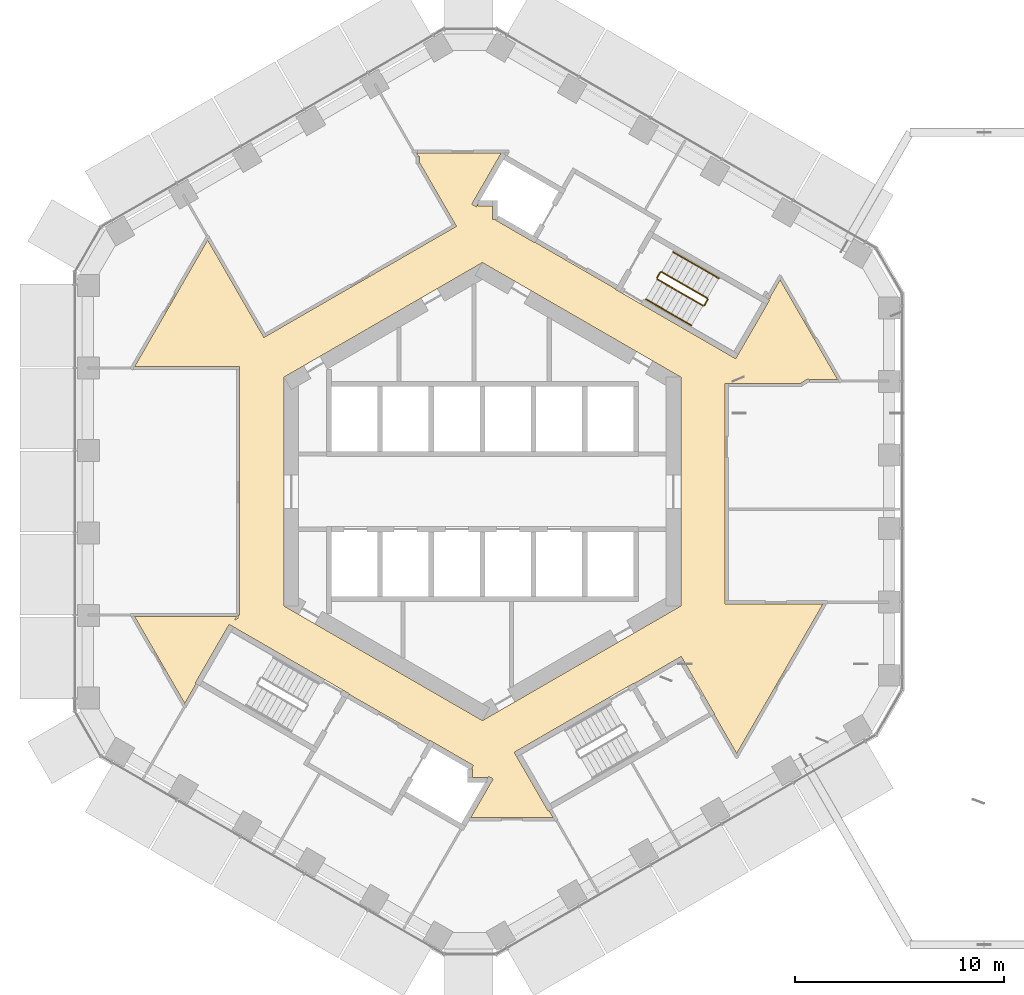
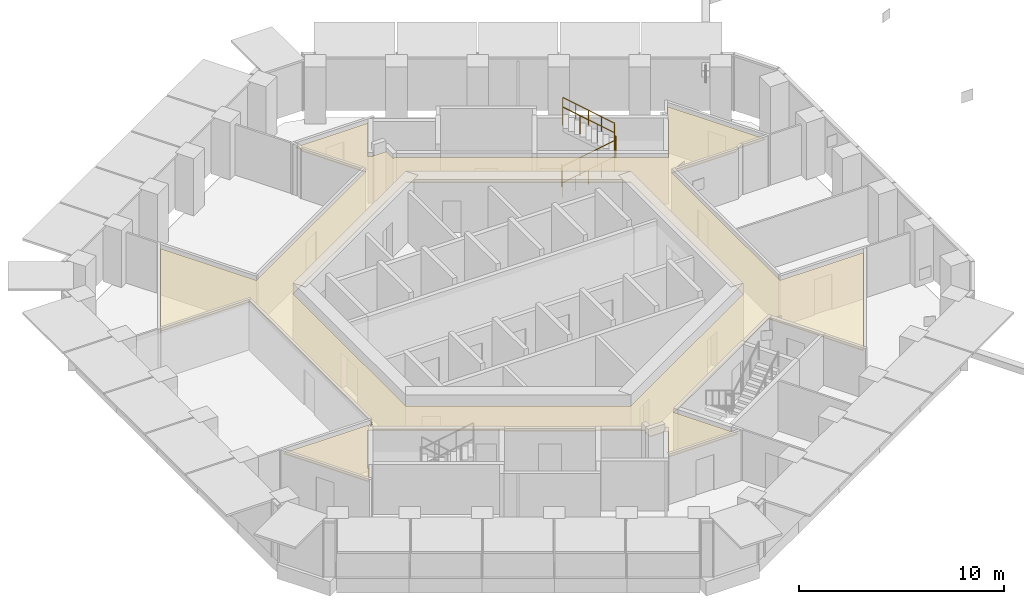
# One storey, part 21 of 21: 8 railings, 1 covering.
"""IFC4 building model written with IfcOpenShell, lengths in metres."""

import ifcopenshell
import ifcopenshell.guid

model = None  # the IFC model being written
_history = None  # IfcOwnerHistory: only IFC2X3 demands one
_inside = {}  # id of a spatial element -> (the spatial element, [elements in it])
_under = {}  # id of a project, library or spatial element -> (it, [spatial elements below it])
_declared = {}  # id of a project -> (the project, [libraries it declares])
_typed = {}  # id of a type object -> (the type object, [elements of that type])
_made_of = {}  # id of a material, layer set ... -> (it, [elements and type objects made of it])


def new_model(schema):
    """Start an empty IFC model of exactly this schema.

    Asked for "IFC4X3", IfcOpenShell would pick the latest addendum, in which some entities
    have other attributes; the version numbers below select the first issue.
    IFC2X3 requires an IfcOwnerHistory on every rooted entity: one is made here for all.
    """
    global model, _history
    if schema == "IFC4X3":
        model = ifcopenshell.file(schema_version=(4, 3, 0, 0))
    else:
        model = ifcopenshell.file(schema=schema)
    _inside.clear()
    _under.clear()
    _declared.clear()
    _typed.clear()
    _made_of.clear()
    _history = None
    if model.schema == "IFC2X3":
        org = make("IfcOrganization", Name="unknown")
        user = make(
            "IfcPersonAndOrganization",
            ThePerson=make("IfcPerson", FamilyName="unknown"),
            TheOrganization=org,
        )
        app = make(
            "IfcApplication",
            ApplicationDeveloper=org,
            Version="unknown",
            ApplicationFullName="unknown",
            ApplicationIdentifier="unknown",
        )
        _history = make(
            "IfcOwnerHistory",
            OwningUser=user,
            OwningApplication=app,
            ChangeAction="ADDED",
            CreationDate=0,
        )
    return model


def make(cls, **values):
    """One entity of the class cls with the attributes given. An attribute that is None is left unset."""
    return model.create_entity(
        cls, **{name: value for name, value in values.items() if value is not None}
    )


def rooted(cls, **values):
    """An entity with a GlobalId (a new one), such as an element, a storey or a relation."""
    return make(cls, GlobalId=ifcopenshell.guid.new(), OwnerHistory=_history, **values)


def si_unit(unit_type, name, prefix=None):
    """IfcSIUnit, for example si_unit("LENGTHUNIT", "METRE", prefix="MILLI")."""
    return make("IfcSIUnit", UnitType=unit_type, Prefix=prefix, Name=name)


def assignment(units):
    """IfcUnitAssignment: the units of a project."""
    return None if units is None else make("IfcUnitAssignment", Units=units)


def point(xyz):
    """IfcCartesianPoint."""
    return None if xyz is None else make("IfcCartesianPoint", Coordinates=xyz)


def direction(xyz):
    """IfcDirection."""
    return None if xyz is None else make("IfcDirection", DirectionRatios=xyz)


def frame(location, z_axis=None, x_axis=None):
    """IfcAxis2Placement3D, a coordinate frame: its origin and axes. An axis left out is left unset."""
    return make(
        "IfcAxis2Placement3D",
        Location=point(location),
        Axis=direction(z_axis),
        RefDirection=direction(x_axis),
    )


def frame_2d(location, x_axis=None):
    """IfcAxis2Placement2D, a coordinate frame in the plane: its origin and x axis."""
    return make(
        "IfcAxis2Placement2D", Location=point(location), RefDirection=direction(x_axis)
    )


def origin():
    """The frame at (0, 0, 0) with its axes left unset."""
    return frame((0.0, 0.0, 0.0))


def origin_2d():
    """The frame at (0, 0) in the plane with its x axis left unset."""
    return frame_2d((0.0, 0.0))


def place(relative_to, where):
    """IfcLocalPlacement: puts the frame where relative to a parent placement (None: the world)."""
    return make(
        "IfcLocalPlacement", PlacementRelTo=relative_to, RelativePlacement=where
    )


def context(
    kind, dimensions, precision=None, world=None, true_north=None, identifier=None
):
    """IfcGeometricRepresentationContext, for example the 3D "Model" context."""
    return make(
        "IfcGeometricRepresentationContext",
        ContextIdentifier=identifier,
        ContextType=kind,
        CoordinateSpaceDimension=dimensions,
        Precision=precision,
        WorldCoordinateSystem=world,
        TrueNorth=true_north,
    )


def subcontext(parent, identifier, kind, view, scale=None):
    """IfcGeometricRepresentationSubContext, for example "Body" below "Model"."""
    return make(
        "IfcGeometricRepresentationSubContext",
        ContextIdentifier=identifier,
        ContextType=kind,
        ParentContext=parent,
        TargetScale=scale,
        TargetView=view,
    )


def project(units=None, contexts=None):
    """IfcProject with its units and contexts."""
    return rooted(
        "IfcProject",
        Name="project",
        RepresentationContexts=contexts,
        UnitsInContext=assignment(units),
    )


def spatial(cls, under=None, at=None, **own):
    """A site, building, storey or space (cls), placed at a placement, below another one or the project."""
    s = rooted(cls, ObjectPlacement=at, **own)
    if under is not None:
        _under.setdefault(under.id(), (under, []))[1].append(s)
    return s


def polyline(points):
    """IfcPolyline through the points."""
    return make("IfcPolyline", Points=[point(p) for p in points])


def profile(cls, at=None, kind="AREA", **sizes):
    """A parametric profile (cls). Its sizes go by their IFC names, for example OverallWidth=200.0."""
    return make(cls, ProfileType=kind, Position=at, **sizes)


def circle(**sizes):
    """IfcCircleProfileDef."""
    return profile("IfcCircleProfileDef", **sizes)


def outline(outer, holes=None, kind="AREA"):
    """IfcArbitraryClosedProfileDef: a profile drawn as a closed curve; with holes, ...WithVoids."""
    if holes is None:
        return make("IfcArbitraryClosedProfileDef", ProfileType=kind, OuterCurve=outer)
    return make(
        "IfcArbitraryProfileDefWithVoids",
        ProfileType=kind,
        OuterCurve=outer,
        InnerCurves=holes,
    )


def extrude(swept, where, along, depth):
    """IfcExtrudedAreaSolid: the profile swept, set in the frame where, extruded along a direction by depth."""
    return make(
        "IfcExtrudedAreaSolid",
        SweptArea=swept,
        Position=where,
        ExtrudedDirection=direction(along),
        Depth=depth,
    )


def shape(context_of_items, identifier, shape_type, items):
    """IfcShapeRepresentation: the items that make up one representation, for example the "Body"."""
    return make(
        "IfcShapeRepresentation",
        ContextOfItems=context_of_items,
        RepresentationIdentifier=identifier,
        RepresentationType=shape_type,
        Items=items,
    )


def material(Name=None, Category=None):
    """IfcMaterial."""
    return make("IfcMaterial", Name=Name, Category=Category)


def layer(
    of_material, thickness, ventilated=None, Name=None, Category=None, Priority=None
):
    """IfcMaterialLayer: one layer of a wall or slab, of a material (None: an air gap)."""
    return make(
        "IfcMaterialLayer",
        Material=of_material,
        LayerThickness=thickness,
        IsVentilated=ventilated,
        Name=Name,
        Category=Category,
        Priority=Priority,
    )


def layer_set(layers, Name=None):
    """IfcMaterialLayerSet."""
    return make("IfcMaterialLayerSet", MaterialLayers=layers, LayerSetName=Name)


def made_of(thing, what):
    """Note that an element or type object is made of a material, layer set ...; save() writes the relation."""
    if what is not None:
        _made_of.setdefault(what.id(), (what, []))[1].append(thing)
    return thing


def type_object(cls, material=None, **own):
    """A type object (cls), such as IfcWallType, which elements share."""
    return made_of(rooted(cls, **own), material)


def element(
    cls,
    number,
    at=None,
    inside=None,
    cuts=None,
    type_object=None,
    material=None,
    context=None,
    identifier="Body",
    shape_type=None,
    held_by="IfcProductDefinitionShape",
    body=None,
    shapes=None,
    **own,
):
    """One element of the class cls, such as IfcWall. Its Tag is "e" and its number.

    at: its placement. inside: the storey or other place that contains it. cuts: it is an
    opening in that element (IfcRelVoidsElement). A single representation is given by context,
    identifier, shape_type and body (its items); several are given by shapes. held_by: the class
    of the entity that holds the representations. save() writes the other relations.
    """
    e = rooted(cls, Tag="e%d" % number, ObjectPlacement=at, **own)
    if body is not None:
        shapes = [shape(context, identifier, shape_type, body)]
    if shapes is not None:
        e.Representation = make(held_by, Representations=shapes)
    if inside is not None:
        _inside.setdefault(inside.id(), (inside, []))[1].append(e)
    if cuts is not None:
        rooted(
            "IfcRelVoidsElement", RelatingBuildingElement=cuts, RelatedOpeningElement=e
        )
    if type_object is not None:
        _typed.setdefault(type_object.id(), (type_object, []))[1].append(e)
    return made_of(e, material)


def aggregate(whole, parts):
    """IfcRelAggregates: a whole, such as a stair, and the parts it consists of."""
    return rooted("IfcRelAggregates", RelatingObject=whole, RelatedObjects=parts)


def save(model, path):
    """Write the relations noted so far, then the file.

    IfcRelAggregates (storeys below a building ...), IfcRelContainedInSpatialStructure (elements
    in a storey), IfcRelDefinesByType, IfcRelAssociatesMaterial and IfcRelDeclares: one each for
    every whole, place, type object, material and project.
    """
    for whole, parts in _under.values():
        aggregate(whole, parts)
    for where, things in _inside.values():
        rooted(
            "IfcRelContainedInSpatialStructure",
            RelatedElements=things,
            RelatingStructure=where,
        )
    for kind, things in _typed.values():
        rooted("IfcRelDefinesByType", RelatedObjects=things, RelatingType=kind)
    for what, things in _made_of.values():
        rooted("IfcRelAssociatesMaterial", RelatedObjects=things, RelatingMaterial=what)
    for by, libraries in _declared.values():
        rooted("IfcRelDeclares", RelatingContext=by, RelatedDefinitions=libraries)
    model.write(path)


model = new_model("IFC4")

# Units and contexts
model_context = context("Model", 3, precision=1e-05, world=origin(), true_north=direction((0.0, 1.0)))
body_context = subcontext(model_context, "Body", "Model", "MODEL_VIEW")
ifc_project = project(units=[si_unit("LENGTHUNIT", "METRE"), si_unit("AREAUNIT", "SQUARE_METRE"), si_unit("VOLUMEUNIT", "CUBIC_METRE"), si_unit("PLANEANGLEUNIT", "RADIAN"), si_unit("MASSUNIT", "GRAM", prefix="KILO")], contexts=[model_context])

# Site, building, storey
site_placement = place(None, origin())
site = spatial("IfcSite", under=ifc_project, at=site_placement, CompositionType="ELEMENT")
building_placement = place(site_placement, origin())
building = spatial("IfcBuilding", under=site, at=building_placement, Name="Ayvan Gate Tower", CompositionType="ELEMENT")
storey_placement = place(building_placement, frame((0.0, 0.0, 117.10009765625)))
storey = spatial("IfcBuildingStorey", under=building, at=storey_placement, Name="L31", CompositionType="ELEMENT", Elevation=117.10009765625)

# Covering
ifc_material_1 = material(Name="Plasterboard suspended ceiling")
ifc_layer = layer(ifc_material_1, 0.050048828125)
ifc_layer_set = layer_set([ifc_layer], Name="Plasterboard suspended ceiling")
covering_type = type_object("IfcCoveringType", Name="CT-SUSP-50", PredefinedType="CEILING", material=ifc_layer_set)
covering_placement = place(storey_placement, frame((0.0, 0.0, 2.699951171875)))
element("IfcCovering", 1, at=covering_placement, inside=storey, type_object=covering_type, Name="Ceiling Ring Corridor L31", PredefinedType="CEILING", context=body_context, shape_type="SweptSolid", body=[
    extrude(outline(polyline([(-11.914794921875, -6.48681640625), (-12.131103515625, -6.36181640625), (-13.756103515625, -9.17626953125), (-13.712890625, -9.201416015625), (-14.256591796875, -10.143310546875), (-16.65380859375, -5.991455078125), (-11.77294921875, -5.991455078125), (-11.870849609375, -6.160888671875), (-11.699951171875, -6.062255859375), (-11.699951171875, -5.91650390625), (-11.625, -5.91650390625), (-11.625, 5.991455078125), (-16.65380859375, 5.991455078125), (-13.159423828125, 12.043701171875), (-10.467041015625, 7.380126953125), (-10.337158203125, 7.455078125), (-1.24462890625, 12.704833984375), (-1.3095703125, 12.8173828125), (-2.99755859375, 15.7412109375), (-3.02490234375, 15.725341796875), (-3.02490234375, 16.043701171875), (-3.056884765625, 16.043701171875), (-3.15771484375, 16.21826171875), (-3.10009765625, 16.21826171875), (-3.10009765625, 16.21923828125), (0.906005859375, 16.21923828125), (-0.511474609375, 13.76416015625), (-0.294921875, 13.63916015625), (-0.215576171875, 13.776611328125), (-0.215576171875, 13.68505859375), (0.47509765625, 13.68505859375), (0.47509765625, 13.03857421875), (0.672119140625, 13.03857421875), (0.645751953125, 12.992919921875), (2.518310546875, 11.91162109375), (2.53076171875, 11.933349609375), (6.384521484375, 9.70849609375), (6.3720703125, 9.686767578125), (6.588623046875, 9.561767578125), (12.131103515625, 6.36181640625), (12.24609375, 6.56103515625), (13.631103515625, 8.959716796875), (13.756103515625, 9.176513671875), (13.681396484375, 9.219482421875), (13.7919921875, 9.283447265625), (13.744384765625, 9.365966796875), (13.7919921875, 9.33837890625), (14.256591796875, 10.143310546875), (17.009765625, 5.37451171875), (15.654296875, 5.37451171875), (15.654296875, 5.319580078125), (15.606689453125, 5.402099609375), (15.26025390625, 5.2021484375), (15.27587890625, 5.174560546875), (11.625, 5.174560546875), (11.625, -5.37451171875), (16.31689453125, -5.37451171875), (12.17822265625, -12.543212890625), (11.102294921875, -10.6796875), (11.123779296875, -10.667236328125), (9.623779296875, -8.069091796875), (9.52392578125, -7.89599609375), (7.2939453125, -9.183349609375), (7.281494140625, -9.16162109375), (1.522216796875, -12.48681640625), (1.647216796875, -12.703369140625), (3.147216796875, -15.30126953125), (3.190673828125, -15.2763671875), (3.387939453125, -15.618408203125), (-0.55908203125, -15.618408203125), (0.511474609375, -13.76416015625), (0.294921875, -13.63916015625), (0.215576171875, -13.776611328125), (0.215576171875, -13.68505859375), (-0.47509765625, -13.68505859375), (-0.47509765625, -13.28857421875), (-0.52783203125, -13.28857421875), (-0.42919921875, -13.117919921875), (-2.284423828125, -12.046630859375), (-2.518310546875, -11.91162109375), (-2.53076171875, -11.933349609375), (-6.384521484375, -9.70849609375), (-6.3720703125, -9.686767578125), (-11.91455078125, -6.48681640625), (-11.914794921875, -6.48681640625)]), holes=[polyline([(9.5, 5.48486328125), (8.771728515625, 5.9052734375), (0.0, 10.9697265625), (-8.771728515625, 5.9052734375), (-9.5, 5.48486328125), (-9.5, -5.48486328125), (-8.771728515625, -5.9052734375), (0.0, -10.9697265625), (8.38720703125, -6.127197265625), (8.771728515625, -5.9052734375), (9.5, -5.48486328125), (9.5, 5.48486328125)])]), origin(), (0.0, 0.0, 1.0), 0.050048828125),
])

# Railings
ifc_material_2 = material(Name="Stainless steel balustrade", Category="steel")
railing_type_1 = type_object("IfcRailingType", Name="RL-GUARD-1100", PredefinedType="GUARDRAIL", material=ifc_material_2)
railing_1_placement = place(storey_placement, frame((8.381103515625, 10.16650390625, 0.169921875)))
element("IfcRailing", 2, at=railing_1_placement, inside=storey, type_object=railing_type_1, Name="L31 STS1 stair guard 1", PredefinedType="GUARDRAIL", context=body_context, shape_type="SweptSolid", body=[
    extrude(circle(Radius=0.02392578125, at=origin_2d()), frame((0.0, 0.0, 1.076171875), z_axis=(0.740261155115, -0.427395438142, 0.518986090067), x_axis=(0.500004791531, 0.866022637375, 0.0)), (0.0, 0.0, 1.0), 2.947998046875),
    extrude(circle(Radius=0.02099609375, at=origin_2d()), origin(), (0.0, 0.0, 1.0), 1.052001953125),
    extrude(circle(Radius=0.02099609375, at=origin_2d()), frame((0.7275390625, -0.419921875, 0.510009765625)), (0.0, 0.0, 1.0), 1.052001953125),
    extrude(circle(Radius=0.02099609375, at=origin_2d()), frame((1.454833984375, -0.840087890625, 1.02001953125)), (0.0, 0.0, 1.0), 1.052001953125),
    extrude(circle(Radius=0.02099609375, at=origin_2d()), frame((2.182373046875, -1.260009765625, 1.530029296875)), (0.0, 0.0, 1.0), 1.052001953125),
])
railing_2_placement = place(storey_placement, frame((10.6318359375, 8.9248046875, 1.699951171875)))
element("IfcRailing", 3, at=railing_2_placement, inside=storey, type_object=railing_type_1, Name="L31 STS1 stair guard 2", PredefinedType="GUARDRAIL", context=body_context, shape_type="SweptSolid", body=[
    extrude(circle(Radius=0.02392578125, at=origin_2d()), frame((0.0, 0.0, 1.076171875), z_axis=(0.499949632511, 0.866054481515, 0.0), x_axis=(-0.866054481515, 0.499949632511, 0.0)), (0.0, 0.0, 1.0), 0.31005859375),
    extrude(circle(Radius=0.02099609375, at=origin_2d()), origin(), (0.0, 0.0, 1.0), 1.052001953125),
    extrude(circle(Radius=0.02099609375, at=origin_2d()), frame((0.155029296875, 0.2685546875, 0.0)), (0.0, 0.0, 1.0), 1.052001953125),
])
railing_3_placement = place(storey_placement, frame((10.7685546875, 9.261474609375, 1.869873046875)))
element("IfcRailing", 4, at=railing_3_placement, inside=storey, type_object=railing_type_1, Name="L31 STS1 stair guard 3", PredefinedType="GUARDRAIL", context=body_context, shape_type="SweptSolid", body=[
    extrude(circle(Radius=0.02392578125, at=origin_2d()), frame((0.0, 0.0, 1.076171875), z_axis=(-0.740261155115, 0.427395438142, 0.518986090067), x_axis=(-0.500004791531, -0.866022637375, 0.0)), (0.0, 0.0, 1.0), 2.947998046875),
    extrude(circle(Radius=0.02099609375, at=origin_2d()), origin(), (0.0, 0.0, 1.0), 1.052001953125),
    extrude(circle(Radius=0.02099609375, at=origin_2d()), frame((-0.7275390625, 0.419921875, 0.510009765625)), (0.0, 0.0, 1.0), 1.052001953125),
    extrude(circle(Radius=0.02099609375, at=origin_2d()), frame((-1.454833984375, 0.840087890625, 1.02001953125)), (0.0, 0.0, 1.0), 1.052001953125),
    extrude(circle(Radius=0.02099609375, at=origin_2d()), frame((-2.182373046875, 1.260009765625, 1.530029296875)), (0.0, 0.0, 1.0), 1.052001953125),
])
railing_4_placement = place(storey_placement, frame((8.36279296875, 10.23486328125, 0.0)))
element("IfcRailing", 5, at=railing_4_placement, inside=storey, type_object=railing_type_1, Name="L31 STS1 stair guard 4", PredefinedType="GUARDRAIL", context=body_context, shape_type="SweptSolid", body=[
    extrude(circle(Radius=0.02392578125, at=origin_2d()), frame((0.0, 0.0, 1.076171875), z_axis=(0.500290723946, 0.86585748916, 0.0), x_axis=(-0.86585748916, 0.500290723946, 0.0)), (0.0, 0.0, 1.0), 0.309814453125),
    extrude(circle(Radius=0.02099609375, at=origin_2d()), origin(), (0.0, 0.0, 1.0), 1.052001953125),
    extrude(circle(Radius=0.02099609375, at=origin_2d()), frame((0.155029296875, 0.268310546875, 0.0)), (0.0, 0.0, 1.0), 1.052001953125),
])
railing_type_2 = type_object("IfcRailingType", Name="RL-HANDRAIL-900", PredefinedType="HANDRAIL", material=ifc_material_2)
railing_5_placement = place(storey_placement, frame((7.8310546875, 9.2138671875, 0.169921875)))
element("IfcRailing", 6, at=railing_5_placement, inside=storey, type_object=railing_type_2, Name="L31 STS1 stair handrail 1", PredefinedType="HANDRAIL", context=body_context, shape_type="SweptSolid", body=[
    extrude(circle(Radius=0.02392578125, at=origin_2d()), frame((0.0, 0.0, 0.8759765625), z_axis=(0.740356597536, -0.427319915356, 0.518912129772), x_axis=(0.499890179513, 0.866088799389, 0.0)), (0.0, 0.0, 1.0), 1.47412109375),
    extrude(circle(Radius=0.02099609375, at=origin_2d()), origin(), (0.0, 0.0, 1.0), 0.851806640625),
    extrude(circle(Radius=0.02099609375, at=origin_2d()), frame((0.545654296875, -0.31494140625, 0.38232421875)), (0.0, 0.0, 1.0), 0.851806640625),
    extrude(circle(Radius=0.02099609375, at=origin_2d()), frame((1.09130859375, -0.6298828125, 0.764892578125)), (0.0, 0.0, 1.0), 0.851806640625),
])
railing_6_placement = place(storey_placement, frame((8.92236328125, 8.583984375, 0.934814453125)))
element("IfcRailing", 7, at=railing_6_placement, inside=storey, type_object=railing_type_2, Name="L31 STS1 stair handrail 2", PredefinedType="HANDRAIL", context=body_context, shape_type="SweptSolid", body=[
    extrude(circle(Radius=0.02392578125, at=origin_2d()), frame((0.0, 0.0, 0.8759765625), z_axis=(0.740165700939, -0.427470949681, 0.519060037311), x_axis=(0.50011940292, 0.865956455501, 0.0)), (0.0, 0.0, 1.0), 1.47412109375),
    extrude(circle(Radius=0.02099609375, at=origin_2d()), origin(), (0.0, 0.0, 1.0), 0.851806640625),
    extrude(circle(Radius=0.02099609375, at=origin_2d()), frame((0.54541015625, -0.31494140625, 0.382568359375)), (0.0, 0.0, 1.0), 0.851806640625),
    extrude(circle(Radius=0.02099609375, at=origin_2d()), frame((1.091064453125, -0.630126953125, 0.76513671875)), (0.0, 0.0, 1.0), 0.851806640625),
])
railing_7_placement = place(storey_placement, frame((11.318603515625, 10.214111328125, 1.869873046875)))
element("IfcRailing", 8, at=railing_7_placement, inside=storey, type_object=railing_type_2, Name="L31 STS1 stair handrail 3", PredefinedType="HANDRAIL", context=body_context, shape_type="SweptSolid", body=[
    extrude(circle(Radius=0.02392578125, at=origin_2d()), frame((0.0, 0.0, 0.8759765625), z_axis=(-0.740240574041, 0.427418550694, 0.518996411419), x_axis=(-0.500035496587, -0.86600490885, 0.0)), (0.0, 0.0, 1.0), 1.474365234375),
    extrude(circle(Radius=0.02099609375, at=origin_2d()), origin(), (0.0, 0.0, 1.0), 0.851806640625),
    extrude(circle(Radius=0.02099609375, at=origin_2d()), frame((-0.545654296875, 0.31494140625, 0.382568359375)), (0.0, 0.0, 1.0), 0.851806640625),
    extrude(circle(Radius=0.02099609375, at=origin_2d()), frame((-1.09130859375, 0.630126953125, 0.76513671875)), (0.0, 0.0, 1.0), 0.851806640625),
])
railing_8_placement = place(storey_placement, frame((10.227294921875, 10.84423828125, 2.635009765625)))
element("IfcRailing", 9, at=railing_8_placement, inside=storey, type_object=railing_type_2, Name="L31 STS1 stair handrail 4", PredefinedType="HANDRAIL", context=body_context, shape_type="SweptSolid", body=[
    extrude(circle(Radius=0.02392578125, at=origin_2d()), frame((0.0, 0.0, 0.8759765625), z_axis=(-0.740356597536, 0.427319915356, 0.518912129772), x_axis=(-0.499890179513, -0.866088799389, 0.0)), (0.0, 0.0, 1.0), 1.47412109375),
    extrude(circle(Radius=0.02099609375, at=origin_2d()), origin(), (0.0, 0.0, 1.0), 0.851806640625),
    extrude(circle(Radius=0.02099609375, at=origin_2d()), frame((-0.545654296875, 0.31494140625, 0.38232421875)), (0.0, 0.0, 1.0), 0.851806640625),
    extrude(circle(Radius=0.02099609375, at=origin_2d()), frame((-1.09130859375, 0.6298828125, 0.764892578125)), (0.0, 0.0, 1.0), 0.851806640625),
])

save(model, "model.ifc")
